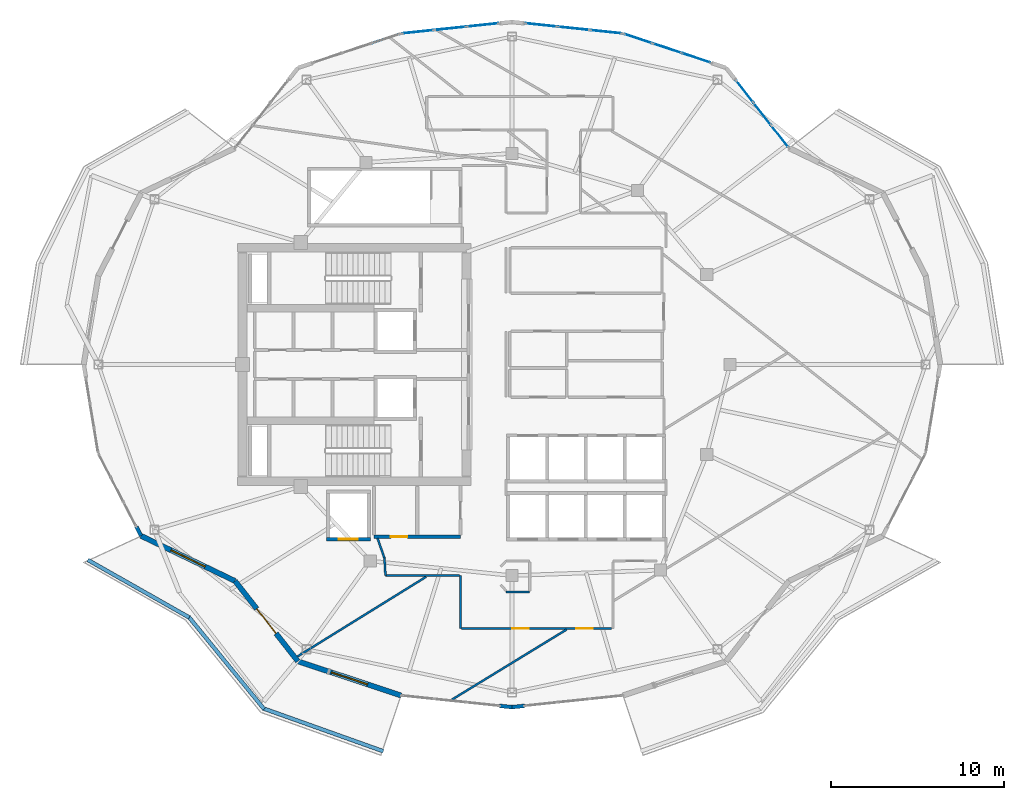
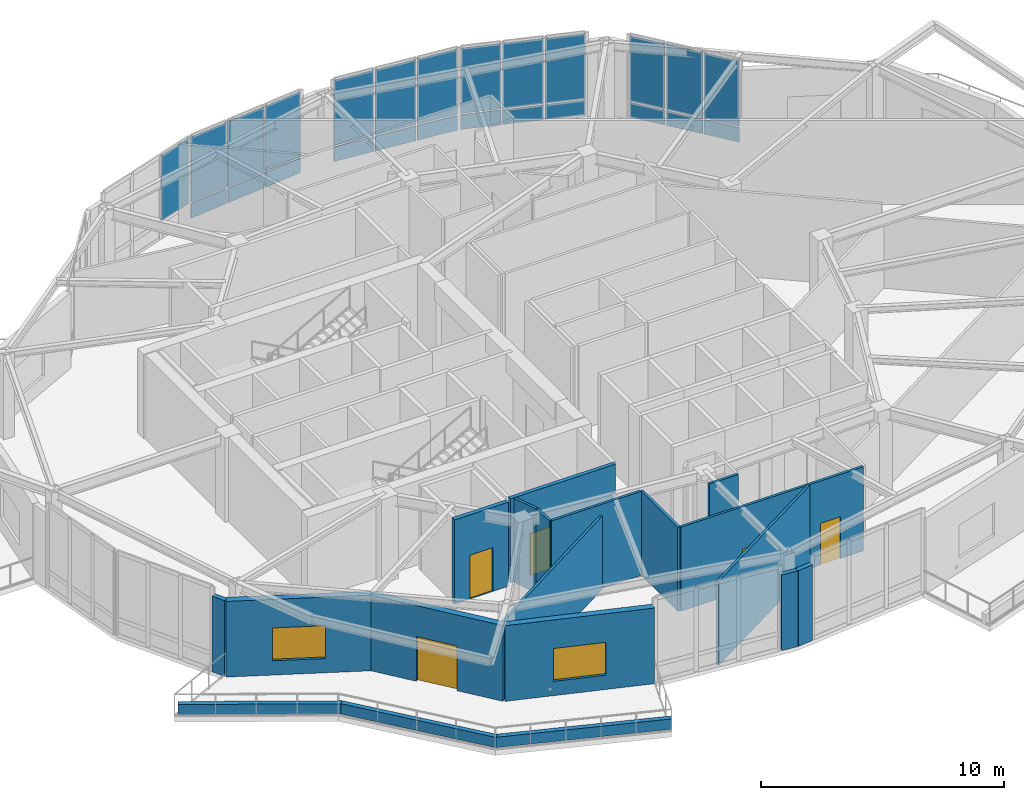
# One storey, part 8 of 15: 25 plates, 19 walls, 5 doors, 2 windows, 7 openings, 5 elements without a shape of their own.
"""IFC4 building model written with IfcOpenShell, lengths in metres."""

import ifcopenshell
import ifcopenshell.guid

model = None  # the IFC model being written
_history = None  # IfcOwnerHistory: only IFC2X3 demands one
_inside = {}  # id of a spatial element -> (the spatial element, [elements in it])
_under = {}  # id of a project, library or spatial element -> (it, [spatial elements below it])
_declared = {}  # id of a project -> (the project, [libraries it declares])
_typed = {}  # id of a type object -> (the type object, [elements of that type])
_made_of = {}  # id of a material, layer set ... -> (it, [elements and type objects made of it])


def new_model(schema):
    """Start an empty IFC model of exactly this schema.

    Asked for "IFC4X3", IfcOpenShell would pick the latest addendum, in which some entities
    have other attributes; the version numbers below select the first issue.
    IFC2X3 requires an IfcOwnerHistory on every rooted entity: one is made here for all.
    """
    global model, _history
    if schema == "IFC4X3":
        model = ifcopenshell.file(schema_version=(4, 3, 0, 0))
    else:
        model = ifcopenshell.file(schema=schema)
    _inside.clear()
    _under.clear()
    _declared.clear()
    _typed.clear()
    _made_of.clear()
    _history = None
    if model.schema == "IFC2X3":
        org = make("IfcOrganization", Name="unknown")
        user = make(
            "IfcPersonAndOrganization",
            ThePerson=make("IfcPerson", FamilyName="unknown"),
            TheOrganization=org,
        )
        app = make(
            "IfcApplication",
            ApplicationDeveloper=org,
            Version="unknown",
            ApplicationFullName="unknown",
            ApplicationIdentifier="unknown",
        )
        _history = make(
            "IfcOwnerHistory",
            OwningUser=user,
            OwningApplication=app,
            ChangeAction="ADDED",
            CreationDate=0,
        )
    return model


def make(cls, **values):
    """One entity of the class cls with the attributes given. An attribute that is None is left unset."""
    return model.create_entity(
        cls, **{name: value for name, value in values.items() if value is not None}
    )


def rooted(cls, **values):
    """An entity with a GlobalId (a new one), such as an element, a storey or a relation."""
    return make(cls, GlobalId=ifcopenshell.guid.new(), OwnerHistory=_history, **values)


def si_unit(unit_type, name, prefix=None):
    """IfcSIUnit, for example si_unit("LENGTHUNIT", "METRE", prefix="MILLI")."""
    return make("IfcSIUnit", UnitType=unit_type, Prefix=prefix, Name=name)


def assignment(units):
    """IfcUnitAssignment: the units of a project."""
    return None if units is None else make("IfcUnitAssignment", Units=units)


def point(xyz):
    """IfcCartesianPoint."""
    return None if xyz is None else make("IfcCartesianPoint", Coordinates=xyz)


def direction(xyz):
    """IfcDirection."""
    return None if xyz is None else make("IfcDirection", DirectionRatios=xyz)


def frame(location, z_axis=None, x_axis=None):
    """IfcAxis2Placement3D, a coordinate frame: its origin and axes. An axis left out is left unset."""
    return make(
        "IfcAxis2Placement3D",
        Location=point(location),
        Axis=direction(z_axis),
        RefDirection=direction(x_axis),
    )


def frame_2d(location, x_axis=None):
    """IfcAxis2Placement2D, a coordinate frame in the plane: its origin and x axis."""
    return make(
        "IfcAxis2Placement2D", Location=point(location), RefDirection=direction(x_axis)
    )


def origin():
    """The frame at (0, 0, 0) with its axes left unset."""
    return frame((0.0, 0.0, 0.0))


def origin_2d():
    """The frame at (0, 0) in the plane with its x axis left unset."""
    return frame_2d((0.0, 0.0))


def place(relative_to, where):
    """IfcLocalPlacement: puts the frame where relative to a parent placement (None: the world)."""
    return make(
        "IfcLocalPlacement", PlacementRelTo=relative_to, RelativePlacement=where
    )


def context(
    kind, dimensions, precision=None, world=None, true_north=None, identifier=None
):
    """IfcGeometricRepresentationContext, for example the 3D "Model" context."""
    return make(
        "IfcGeometricRepresentationContext",
        ContextIdentifier=identifier,
        ContextType=kind,
        CoordinateSpaceDimension=dimensions,
        Precision=precision,
        WorldCoordinateSystem=world,
        TrueNorth=true_north,
    )


def subcontext(parent, identifier, kind, view, scale=None):
    """IfcGeometricRepresentationSubContext, for example "Body" below "Model"."""
    return make(
        "IfcGeometricRepresentationSubContext",
        ContextIdentifier=identifier,
        ContextType=kind,
        ParentContext=parent,
        TargetScale=scale,
        TargetView=view,
    )


def project(units=None, contexts=None):
    """IfcProject with its units and contexts."""
    return rooted(
        "IfcProject",
        Name="project",
        RepresentationContexts=contexts,
        UnitsInContext=assignment(units),
    )


def spatial(cls, under=None, at=None, **own):
    """A site, building, storey or space (cls), placed at a placement, below another one or the project."""
    s = rooted(cls, ObjectPlacement=at, **own)
    if under is not None:
        _under.setdefault(under.id(), (under, []))[1].append(s)
    return s


def profile(cls, at=None, kind="AREA", **sizes):
    """A parametric profile (cls). Its sizes go by their IFC names, for example OverallWidth=200.0."""
    return make(cls, ProfileType=kind, Position=at, **sizes)


def rectangle(**sizes):
    """IfcRectangleProfileDef."""
    return profile("IfcRectangleProfileDef", **sizes)


def extrude(swept, where, along, depth):
    """IfcExtrudedAreaSolid: the profile swept, set in the frame where, extruded along a direction by depth."""
    return make(
        "IfcExtrudedAreaSolid",
        SweptArea=swept,
        Position=where,
        ExtrudedDirection=direction(along),
        Depth=depth,
    )


def shape(context_of_items, identifier, shape_type, items):
    """IfcShapeRepresentation: the items that make up one representation, for example the "Body"."""
    return make(
        "IfcShapeRepresentation",
        ContextOfItems=context_of_items,
        RepresentationIdentifier=identifier,
        RepresentationType=shape_type,
        Items=items,
    )


def material(Name=None, Category=None):
    """IfcMaterial."""
    return make("IfcMaterial", Name=Name, Category=Category)


def layer(
    of_material, thickness, ventilated=None, Name=None, Category=None, Priority=None
):
    """IfcMaterialLayer: one layer of a wall or slab, of a material (None: an air gap)."""
    return make(
        "IfcMaterialLayer",
        Material=of_material,
        LayerThickness=thickness,
        IsVentilated=ventilated,
        Name=Name,
        Category=Category,
        Priority=Priority,
    )


def layer_set(layers, Name=None):
    """IfcMaterialLayerSet."""
    return make("IfcMaterialLayerSet", MaterialLayers=layers, LayerSetName=Name)


def made_of(thing, what):
    """Note that an element or type object is made of a material, layer set ...; save() writes the relation."""
    if what is not None:
        _made_of.setdefault(what.id(), (what, []))[1].append(thing)
    return thing


def type_object(cls, material=None, **own):
    """A type object (cls), such as IfcWallType, which elements share."""
    return made_of(rooted(cls, **own), material)


def element(
    cls,
    number,
    at=None,
    inside=None,
    cuts=None,
    type_object=None,
    material=None,
    context=None,
    identifier="Body",
    shape_type=None,
    held_by="IfcProductDefinitionShape",
    body=None,
    shapes=None,
    **own,
):
    """One element of the class cls, such as IfcWall. Its Tag is "e" and its number.

    at: its placement. inside: the storey or other place that contains it. cuts: it is an
    opening in that element (IfcRelVoidsElement). A single representation is given by context,
    identifier, shape_type and body (its items); several are given by shapes. held_by: the class
    of the entity that holds the representations. save() writes the other relations.
    """
    e = rooted(cls, Tag="e%d" % number, ObjectPlacement=at, **own)
    if body is not None:
        shapes = [shape(context, identifier, shape_type, body)]
    if shapes is not None:
        e.Representation = make(held_by, Representations=shapes)
    if inside is not None:
        _inside.setdefault(inside.id(), (inside, []))[1].append(e)
    if cuts is not None:
        rooted(
            "IfcRelVoidsElement", RelatingBuildingElement=cuts, RelatedOpeningElement=e
        )
    if type_object is not None:
        _typed.setdefault(type_object.id(), (type_object, []))[1].append(e)
    return made_of(e, material)


def fill(opening, filler):
    """IfcRelFillsElement: the door or window that sits in an opening."""
    return rooted(
        "IfcRelFillsElement",
        RelatingOpeningElement=opening,
        RelatedBuildingElement=filler,
    )


def aggregate(whole, parts):
    """IfcRelAggregates: a whole, such as a stair, and the parts it consists of."""
    return rooted("IfcRelAggregates", RelatingObject=whole, RelatedObjects=parts)


def save(model, path):
    """Write the relations noted so far, then the file.

    IfcRelAggregates (storeys below a building ...), IfcRelContainedInSpatialStructure (elements
    in a storey), IfcRelDefinesByType, IfcRelAssociatesMaterial and IfcRelDeclares: one each for
    every whole, place, type object, material and project.
    """
    for whole, parts in _under.values():
        aggregate(whole, parts)
    for where, things in _inside.values():
        rooted(
            "IfcRelContainedInSpatialStructure",
            RelatedElements=things,
            RelatingStructure=where,
        )
    for kind, things in _typed.values():
        rooted("IfcRelDefinesByType", RelatedObjects=things, RelatingType=kind)
    for what, things in _made_of.values():
        rooted("IfcRelAssociatesMaterial", RelatedObjects=things, RelatingMaterial=what)
    for by, libraries in _declared.values():
        rooted("IfcRelDeclares", RelatingContext=by, RelatedDefinitions=libraries)
    model.write(path)


model = new_model("IFC4")

# Units and contexts
model_context = context("Model", 3, precision=1e-05, world=origin(), true_north=direction((0.0, 1.0)))
body_context = subcontext(model_context, "Body", "Model", "MODEL_VIEW")
ifc_project = project(units=[si_unit("LENGTHUNIT", "METRE"), si_unit("AREAUNIT", "SQUARE_METRE"), si_unit("VOLUMEUNIT", "CUBIC_METRE"), si_unit("PLANEANGLEUNIT", "RADIAN"), si_unit("MASSUNIT", "GRAM", prefix="KILO")], contexts=[model_context])

# Site, building, storey
site_placement = place(None, origin())
site = spatial("IfcSite", under=ifc_project, at=site_placement, CompositionType="ELEMENT")
building_placement = place(site_placement, origin())
building = spatial("IfcBuilding", under=site, at=building_placement, Name="Kolvaren Gate Tower and Convention Centre", CompositionType="ELEMENT")
storey_placement = place(building_placement, frame((0.0, 0.0, 191.89990234375)))
storey = spatial("IfcBuildingStorey", under=building, at=storey_placement, Name="L50", CompositionType="ELEMENT", Elevation=191.89990234375)

# Curtain wall, plates
ifc_material_1 = material(Name="Anodized Architectural Aluminium Alloy 6063-T6", Category="aluminium")
ifc_layer_1 = layer(ifc_material_1, 0.199951171875)
ifc_layer_set_1 = layer_set([ifc_layer_1], Name="Anodized Architectural Aluminium Alloy 6063-T6")
curtain_wall_type = type_object("IfcCurtainWallType", Name="CW-SKY-GLZ", PredefinedType="NOTDEFINED", material=ifc_layer_set_1)
curtain_wall_1_placement = place(storey_placement, origin())
curtain_wall_1 = element("IfcCurtainWall", 1, at=curtain_wall_1_placement, inside=storey, type_object=curtain_wall_type, Name="L50 Panoramic Structural Curtain Wall CW-03", PredefinedType="NOTDEFINED")
ifc_material_2 = material(Name="Low-E Triple Insulated Glazing Unit 44 mm", Category="glass")
ifc_layer_2 = layer(ifc_material_2, 0.0439453125)
ifc_layer_set_2 = layer_set([ifc_layer_2], Name="Low-E Triple Insulated Glazing Unit 44 mm")
plate_type_1 = type_object("IfcPlateType", Name="CW-PL-IGU-44", PredefinedType="CURTAIN_PANEL", material=ifc_layer_set_2)
plate_1_placement = place(storey_placement, frame((43.56689453125, 42.784423828125, 0.887451171875), z_axis=(0.0, 0.0, 1.0), x_axis=(0.616436709784, -0.787404459493, 0.0)))
plate_1 = element("IfcPlate", 2, at=plate_1_placement, type_object=plate_type_1, Name="CW-05 panel 1.2", PredefinedType="CURTAIN_PANEL", context=body_context, shape_type="SweptSolid", body=[
    extrude(rectangle(XDim=1.559814453125, YDim=0.0439453125, at=origin_2d()), origin(), (0.0, 0.0, 1.0), 3.267578125),
])
plate_2_placement = place(storey_placement, frame((44.586181640625, 41.482421875, 0.887451171875), z_axis=(0.0, 0.0, 1.0), x_axis=(0.616436709784, -0.787404459493, 0.0)))
plate_2 = element("IfcPlate", 3, at=plate_2_placement, type_object=plate_type_1, Name="CW-05 panel 2.2", PredefinedType="CURTAIN_PANEL", context=body_context, shape_type="SweptSolid", body=[
    extrude(rectangle(XDim=1.59716796875, YDim=0.0439453125, at=origin_2d()), origin(), (0.0, 0.0, 1.0), 3.267578125),
])
plate_3_placement = place(storey_placement, frame((45.60546875, 40.180419921875, 0.887451171875), z_axis=(0.0, 0.0, 1.0), x_axis=(0.616436709784, -0.787404459493, 0.0)))
plate_3 = element("IfcPlate", 4, at=plate_3_placement, type_object=plate_type_1, Name="CW-05 panel 3.2", PredefinedType="CURTAIN_PANEL", context=body_context, shape_type="SweptSolid", body=[
    extrude(rectangle(XDim=1.559814453125, YDim=0.0439453125, at=origin_2d()), origin(), (0.0, 0.0, 1.0), 3.267578125),
])

curtain_wall_2_placement = place(storey_placement, origin())
curtain_wall_2 = element("IfcCurtainWall", 5, at=curtain_wall_2_placement, inside=storey, type_object=curtain_wall_type, Name="L50 Panoramic Structural Curtain Wall CW-04", PredefinedType="NOTDEFINED")
plate_4_placement = place(storey_placement, frame((37.40185546875, 45.836669921875, 0.887451171875), z_axis=(0.0, 0.0, 1.0), x_axis=(0.949239946029, -0.314552896763, 0.0)))
plate_4 = element("IfcPlate", 6, at=plate_4_placement, type_object=plate_type_1, Name="CW-05 panel 1.2", PredefinedType="CURTAIN_PANEL", context=body_context, shape_type="SweptSolid", body=[
    extrude(rectangle(XDim=1.685302734375, YDim=0.0439453125, at=origin_2d()), origin(), (0.0, 0.0, 1.0), 3.267578125),
])
plate_5_placement = place(storey_placement, frame((39.09033203125, 45.277099609375, 0.887451171875), z_axis=(0.0, 0.0, 1.0), x_axis=(0.949239946029, -0.314552896763, 0.0)))
plate_5 = element("IfcPlate", 7, at=plate_5_placement, type_object=plate_type_1, Name="CW-05 panel 2.2", PredefinedType="CURTAIN_PANEL", context=body_context, shape_type="SweptSolid", body=[
    extrude(rectangle(XDim=1.72265625, YDim=0.0439453125, at=origin_2d()), origin(), (0.0, 0.0, 1.0), 3.267578125),
])
plate_6_placement = place(storey_placement, frame((40.779052734375, 44.717529296875, 0.887451171875), z_axis=(0.0, 0.0, 1.0), x_axis=(0.949239946029, -0.314552896763, 0.0)))
plate_6 = element("IfcPlate", 8, at=plate_6_placement, type_object=plate_type_1, Name="CW-05 panel 3.2", PredefinedType="CURTAIN_PANEL", context=body_context, shape_type="SweptSolid", body=[
    extrude(rectangle(XDim=1.685302734375, YDim=0.0439453125, at=origin_2d()), origin(), (0.0, 0.0, 1.0), 3.267578125),
])

curtain_wall_3_placement = place(storey_placement, origin())
curtain_wall_3 = element("IfcCurtainWall", 9, at=curtain_wall_3_placement, inside=storey, type_object=curtain_wall_type, Name="L50 Panoramic Structural Curtain Wall CW-05", PredefinedType="NOTDEFINED")
plate_7_placement = place(storey_placement, frame((31.8154296875, 46.621826171875, 0.887451171875), z_axis=(0.0, 0.0, 1.0), x_axis=(0.994499599937, -0.104740372947, 0.0)))
plate_7 = element("IfcPlate", 10, at=plate_7_placement, type_object=plate_type_1, Name="CW-05 panel 1.2", PredefinedType="CURTAIN_PANEL", context=body_context, shape_type="SweptSolid", body=[
    extrude(rectangle(XDim=1.79150390625, YDim=0.0439453125, at=origin_2d()), origin(), (0.0, 0.0, 1.0), 3.267578125),
])
plate_8_placement = place(storey_placement, frame((33.6904296875, 46.424560546875, 0.887451171875), z_axis=(0.0, 0.0, 1.0), x_axis=(0.994499599937, -0.104740372947, 0.0)))
plate_8 = element("IfcPlate", 11, at=plate_8_placement, type_object=plate_type_1, Name="CW-05 panel 2.2", PredefinedType="CURTAIN_PANEL", context=body_context, shape_type="SweptSolid", body=[
    extrude(rectangle(XDim=1.8291015625, YDim=0.0439453125, at=origin_2d()), origin(), (0.0, 0.0, 1.0), 3.267578125),
])
plate_9_placement = place(storey_placement, frame((35.5654296875, 46.22705078125, 0.887451171875), z_axis=(0.0, 0.0, 1.0), x_axis=(0.994499599937, -0.104740372947, 0.0)))
plate_9 = element("IfcPlate", 12, at=plate_9_placement, type_object=plate_type_1, Name="CW-05 panel 3.2", PredefinedType="CURTAIN_PANEL", context=body_context, shape_type="SweptSolid", body=[
    extrude(rectangle(XDim=1.79150390625, YDim=0.0439453125, at=origin_2d()), origin(), (0.0, 0.0, 1.0), 3.267578125),
])

curtain_wall_4_placement = place(storey_placement, origin())
curtain_wall_4 = element("IfcCurtainWall", 13, at=curtain_wall_4_placement, inside=storey, type_object=curtain_wall_type, Name="L50 Panoramic Structural Curtain Wall CW-06", PredefinedType="NOTDEFINED")
plate_10_placement = place(storey_placement, frame((24.6845703125, 46.22705078125, 0.887451171875), z_axis=(0.0, 0.0, 1.0), x_axis=(0.994499215808, 0.104744020147, 0.0)))
plate_10 = element("IfcPlate", 14, at=plate_10_placement, type_object=plate_type_1, Name="CW-05 panel 1.2", PredefinedType="CURTAIN_PANEL", context=body_context, shape_type="SweptSolid", body=[
    extrude(rectangle(XDim=1.79150390625, YDim=0.0439453125, at=origin_2d()), origin(), (0.0, 0.0, 1.0), 3.267578125),
])
plate_11_placement = place(storey_placement, frame((26.5595703125, 46.424560546875, 0.887451171875), z_axis=(0.0, 0.0, 1.0), x_axis=(0.994499215808, 0.104744020147, 0.0)))
plate_11 = element("IfcPlate", 15, at=plate_11_placement, type_object=plate_type_1, Name="CW-05 panel 2.2", PredefinedType="CURTAIN_PANEL", context=body_context, shape_type="SweptSolid", body=[
    extrude(rectangle(XDim=1.8291015625, YDim=0.0439453125, at=origin_2d()), origin(), (0.0, 0.0, 1.0), 3.267578125),
])
plate_12_placement = place(storey_placement, frame((28.434326171875, 46.621826171875, 0.887451171875), z_axis=(0.0, 0.0, 1.0), x_axis=(0.994499215808, 0.104744020147, 0.0)))
plate_12 = element("IfcPlate", 16, at=plate_12_placement, type_object=plate_type_1, Name="CW-05 panel 3.2", PredefinedType="CURTAIN_PANEL", context=body_context, shape_type="SweptSolid", body=[
    extrude(rectangle(XDim=1.79150390625, YDim=0.0439453125, at=origin_2d()), origin(), (0.0, 0.0, 1.0), 3.267578125),
])

# Curtain wall, plate
curtain_wall_5_placement = place(storey_placement, origin())
curtain_wall_5 = element("IfcCurtainWall", 17, at=curtain_wall_5_placement, inside=storey, type_object=curtain_wall_type, Name="L50 Panoramic Structural Curtain Wall CW-07", PredefinedType="NOTDEFINED")
plate_13_placement = place(storey_placement, frame((22.84814453125, 45.836669921875, 0.887451171875), z_axis=(0.0, 0.0, 1.0), x_axis=(0.949239913474, 0.314552995008, 0.0)))
plate_13 = element("IfcPlate", 18, at=plate_13_placement, type_object=plate_type_1, Name="CW-05 panel 3.2", PredefinedType="CURTAIN_PANEL", context=body_context, shape_type="SweptSolid", body=[
    extrude(rectangle(XDim=1.685302734375, YDim=0.0439453125, at=origin_2d()), origin(), (0.0, 0.0, 1.0), 3.267578125),
])
aggregate(curtain_wall_5, [plate_13])

# Plate
ifc_material_3 = material(Name="Solar-Control Laminated Curtain Glazing 36 mm", Category="glass")
ifc_layer_3 = layer(ifc_material_3, 0.035888671875)
ifc_layer_set_3 = layer_set([ifc_layer_3], Name="Solar-Control Laminated Curtain Glazing 36 mm")
plate_type_2 = type_object("IfcPlateType", Name="CW-PL-SPAN-36", PredefinedType="CURTAIN_PANEL", material=ifc_layer_set_3)
plate_14_placement = place(storey_placement, frame((43.56689453125, 42.784423828125, 0.0751953125), z_axis=(0.0, 0.0, 1.0), x_axis=(0.616436709784, -0.787404459493, 0.0)))
plate_14 = element("IfcPlate", 19, at=plate_14_placement, type_object=plate_type_2, Name="CW-05 panel 1.1", PredefinedType="CURTAIN_PANEL", context=body_context, shape_type="SweptSolid", body=[
    extrude(rectangle(XDim=1.559814453125, YDim=0.035888671875, at=origin_2d()), origin(), (0.0, 0.0, 1.0), 0.737548828125),
])

plate_15_placement = place(storey_placement, frame((44.586181640625, 41.482421875, 0.0751953125), z_axis=(0.0, 0.0, 1.0), x_axis=(0.616436709784, -0.787404459493, 0.0)))
plate_15 = element("IfcPlate", 20, at=plate_15_placement, type_object=plate_type_2, Name="CW-05 panel 2.1", PredefinedType="CURTAIN_PANEL", context=body_context, shape_type="SweptSolid", body=[
    extrude(rectangle(XDim=1.59716796875, YDim=0.035888671875, at=origin_2d()), origin(), (0.0, 0.0, 1.0), 0.737548828125),
])

plate_16_placement = place(storey_placement, frame((45.60546875, 40.180419921875, 0.0751953125), z_axis=(0.0, 0.0, 1.0), x_axis=(0.616436709784, -0.787404459493, 0.0)))
plate_16 = element("IfcPlate", 21, at=plate_16_placement, type_object=plate_type_2, Name="CW-05 panel 3.1", PredefinedType="CURTAIN_PANEL", context=body_context, shape_type="SweptSolid", body=[
    extrude(rectangle(XDim=1.559814453125, YDim=0.035888671875, at=origin_2d()), origin(), (0.0, 0.0, 1.0), 0.737548828125),
])

aggregate(curtain_wall_1, [plate_14, plate_1, plate_15, plate_2, plate_16, plate_3])

plate_17_placement = place(storey_placement, frame((37.40185546875, 45.836669921875, 0.0751953125), z_axis=(0.0, 0.0, 1.0), x_axis=(0.949239946029, -0.314552896763, 0.0)))
plate_17 = element("IfcPlate", 22, at=plate_17_placement, type_object=plate_type_2, Name="CW-05 panel 1.1", PredefinedType="CURTAIN_PANEL", context=body_context, shape_type="SweptSolid", body=[
    extrude(rectangle(XDim=1.685302734375, YDim=0.035888671875, at=origin_2d()), origin(), (0.0, 0.0, 1.0), 0.737548828125),
])

plate_18_placement = place(storey_placement, frame((39.09033203125, 45.277099609375, 0.0751953125), z_axis=(0.0, 0.0, 1.0), x_axis=(0.949239946029, -0.314552896763, 0.0)))
plate_18 = element("IfcPlate", 23, at=plate_18_placement, type_object=plate_type_2, Name="CW-05 panel 2.1", PredefinedType="CURTAIN_PANEL", context=body_context, shape_type="SweptSolid", body=[
    extrude(rectangle(XDim=1.72265625, YDim=0.035888671875, at=origin_2d()), origin(), (0.0, 0.0, 1.0), 0.737548828125),
])

plate_19_placement = place(storey_placement, frame((40.779052734375, 44.717529296875, 0.0751953125), z_axis=(0.0, 0.0, 1.0), x_axis=(0.949239946029, -0.314552896763, 0.0)))
plate_19 = element("IfcPlate", 24, at=plate_19_placement, type_object=plate_type_2, Name="CW-05 panel 3.1", PredefinedType="CURTAIN_PANEL", context=body_context, shape_type="SweptSolid", body=[
    extrude(rectangle(XDim=1.685302734375, YDim=0.035888671875, at=origin_2d()), origin(), (0.0, 0.0, 1.0), 0.737548828125),
])

aggregate(curtain_wall_2, [plate_17, plate_4, plate_18, plate_5, plate_19, plate_6])

plate_20_placement = place(storey_placement, frame((31.8154296875, 46.621826171875, 0.0751953125), z_axis=(0.0, 0.0, 1.0), x_axis=(0.994499599937, -0.104740372947, 0.0)))
plate_20 = element("IfcPlate", 25, at=plate_20_placement, type_object=plate_type_2, Name="CW-05 panel 1.1", PredefinedType="CURTAIN_PANEL", context=body_context, shape_type="SweptSolid", body=[
    extrude(rectangle(XDim=1.79150390625, YDim=0.035888671875, at=origin_2d()), origin(), (0.0, 0.0, 1.0), 0.737548828125),
])

plate_21_placement = place(storey_placement, frame((33.6904296875, 46.424560546875, 0.0751953125), z_axis=(0.0, 0.0, 1.0), x_axis=(0.994499599937, -0.104740372947, 0.0)))
plate_21 = element("IfcPlate", 26, at=plate_21_placement, type_object=plate_type_2, Name="CW-05 panel 2.1", PredefinedType="CURTAIN_PANEL", context=body_context, shape_type="SweptSolid", body=[
    extrude(rectangle(XDim=1.8291015625, YDim=0.035888671875, at=origin_2d()), origin(), (0.0, 0.0, 1.0), 0.737548828125),
])

plate_22_placement = place(storey_placement, frame((35.5654296875, 46.22705078125, 0.0751953125), z_axis=(0.0, 0.0, 1.0), x_axis=(0.994499599937, -0.104740372947, 0.0)))
plate_22 = element("IfcPlate", 27, at=plate_22_placement, type_object=plate_type_2, Name="CW-05 panel 3.1", PredefinedType="CURTAIN_PANEL", context=body_context, shape_type="SweptSolid", body=[
    extrude(rectangle(XDim=1.79150390625, YDim=0.035888671875, at=origin_2d()), origin(), (0.0, 0.0, 1.0), 0.737548828125),
])

aggregate(curtain_wall_3, [plate_20, plate_7, plate_21, plate_8, plate_22, plate_9])

plate_23_placement = place(storey_placement, frame((24.6845703125, 46.22705078125, 0.0751953125), z_axis=(0.0, 0.0, 1.0), x_axis=(0.994499215808, 0.104744020147, 0.0)))
plate_23 = element("IfcPlate", 28, at=plate_23_placement, type_object=plate_type_2, Name="CW-05 panel 1.1", PredefinedType="CURTAIN_PANEL", context=body_context, shape_type="SweptSolid", body=[
    extrude(rectangle(XDim=1.79150390625, YDim=0.035888671875, at=origin_2d()), origin(), (0.0, 0.0, 1.0), 0.737548828125),
])

plate_24_placement = place(storey_placement, frame((26.5595703125, 46.424560546875, 0.0751953125), z_axis=(0.0, 0.0, 1.0), x_axis=(0.994499215808, 0.104744020147, 0.0)))
plate_24 = element("IfcPlate", 29, at=plate_24_placement, type_object=plate_type_2, Name="CW-05 panel 2.1", PredefinedType="CURTAIN_PANEL", context=body_context, shape_type="SweptSolid", body=[
    extrude(rectangle(XDim=1.8291015625, YDim=0.035888671875, at=origin_2d()), origin(), (0.0, 0.0, 1.0), 0.737548828125),
])

plate_25_placement = place(storey_placement, frame((28.434326171875, 46.621826171875, 0.0751953125), z_axis=(0.0, 0.0, 1.0), x_axis=(0.994499215808, 0.104744020147, 0.0)))
plate_25 = element("IfcPlate", 30, at=plate_25_placement, type_object=plate_type_2, Name="CW-05 panel 3.1", PredefinedType="CURTAIN_PANEL", context=body_context, shape_type="SweptSolid", body=[
    extrude(rectangle(XDim=1.79150390625, YDim=0.035888671875, at=origin_2d()), origin(), (0.0, 0.0, 1.0), 0.737548828125),
])

aggregate(curtain_wall_4, [plate_23, plate_10, plate_24, plate_11, plate_25, plate_12])

# Wall, opening, door
ifc_material_4 = material(Name="Autoclaved Aerated Masonry Blockwork Class 4 (4.0 MPa)", Category="masonry")
ifc_layer_4 = layer(ifc_material_4, 0.179931640625)
ifc_layer_set_4 = layer_set([ifc_layer_4], Name="Autoclaved Aerated Masonry Blockwork Class 4 (4.0 MPa)")
wall_type_1 = type_object("IfcWallType", Name="ARCH-WL-COMP-180", PredefinedType="SOLIDWALL", material=ifc_layer_set_4)
wall_1_placement = place(storey_placement, frame((22.14990234375, 17.050048828125, 0.0), z_axis=(0.0, 0.0, 1.0), x_axis=(1.0, 0.0, 0.0)))
wall_1 = element("IfcWall", 31, at=wall_1_placement, inside=storey, type_object=wall_type_1, Name="Interior Partition WL-L50-INT-011", PredefinedType="SOLIDWALL", context=body_context, shape_type="SweptSolid", body=[
    extrude(rectangle(XDim=5.0, YDim=0.179931640625, at=frame_2d((2.5, 0.0))), origin(), (0.0, 0.0, 1.0), 4.22998046875),
])
opening_1_placement = place(wall_1_placement, frame((0.97998046875, 0.0, 0.0)))
opening_1 = element("IfcOpeningElement", 32, at=opening_1_placement, cuts=wall_1, Name="Opening DR-01", PredefinedType="OPENING", context=body_context, shape_type="SweptSolid", body=[
    extrude(rectangle(XDim=0.949951171875, YDim=2.10009765625, at=frame_2d((0.47509765625, 1.050048828125))), frame((0.0, 0.099853515625, 0.0), z_axis=(0.0, -1.0, 0.0), x_axis=(1.0, 0.0, 0.0)), (0.0, 0.0, 1.0), 0.199951171875),
])
ifc_material_5 = material(Name="Painted Architectural Steelwork ASTM A500 Grade C 345 MPa", Category="steel")
door_type_1 = type_object("IfcDoorType", Name="ARCH-DR-RISER-950", OperationType="SINGLE_SWING_RIGHT", PredefinedType="DOOR", material=ifc_material_5)
door_1_placement = place(opening_1_placement, origin())
door_1 = element("IfcDoor", 33, at=door_1_placement, inside=storey, type_object=door_type_1, Name="West Valet Store Door", OperationType="SINGLE_SWING_RIGHT", OverallHeight=2.10009765625, OverallWidth=0.949951171875, PredefinedType="DOOR", context=body_context, shape_type="SweptSolid", body=[
    extrude(rectangle(XDim=0.949951171875, YDim=2.10009765625, at=frame_2d((0.47509765625, 1.050048828125))), frame((0.0, 0.02490234375, 0.0), z_axis=(0.0, -1.0, 0.0), x_axis=(1.0, 0.0, 0.0)), (0.0, 0.0, 1.0), 0.050048828125),
])
fill(opening_1, door_1)

# Wall
ifc_material_6 = material(Name="Fire-Rated Acoustic Gypsum Stud Partition", Category="gypsum")
ifc_layer_5 = layer(ifc_material_6, 0.1201171875)
ifc_layer_set_5 = layer_set([ifc_layer_5], Name="Fire-Rated Acoustic Gypsum Stud Partition")
wall_type_2 = type_object("IfcWallType", Name="ARCH-WL-PART-120", PredefinedType="PARTITIONING", material=ifc_layer_set_5)
wall_2_placement = place(storey_placement, frame((27.14990234375, 11.75, 0.0), z_axis=(0.0, 0.0, 1.0), x_axis=(0.0, 1.0, 0.0)))
element("IfcWall", 34, at=wall_2_placement, inside=storey, type_object=wall_type_2, Name="Interior Partition WL-L50-INT-014", PredefinedType="PARTITIONING", context=body_context, shape_type="SweptSolid", body=[
    extrude(rectangle(XDim=3.050048828125, YDim=0.1201171875, at=frame_2d((1.52490234375, 0.0))), origin(), (0.0, 0.0, 1.0), 4.22998046875),
])

# Wall, openings, doors
wall_3_placement = place(storey_placement, frame((27.2119140625, 11.75, 0.0), z_axis=(0.0, 0.0, 1.0), x_axis=(1.0, 0.0, 0.0)))
wall_3 = element("IfcWall", 35, at=wall_3_placement, inside=storey, type_object=wall_type_2, Name="Interior Partition WL-L50-INT-033", PredefinedType="PARTITIONING", context=body_context, shape_type="SweptSolid", body=[
    extrude(rectangle(XDim=8.676025390625, YDim=0.1201171875, at=frame_2d((4.337890625, 0.0))), origin(), (0.0, 0.0, 1.0), 4.22998046875),
])
opening_2_placement = place(wall_3_placement, frame((2.925537109375, 0.0, 0.0)))
opening_2 = element("IfcOpeningElement", 36, at=opening_2_placement, cuts=wall_3, Name="Opening DR-01", PredefinedType="OPENING", context=body_context, shape_type="SweptSolid", body=[
    extrude(rectangle(XDim=0.949951171875, YDim=2.10009765625, at=frame_2d((0.47509765625, 1.050048828125))), frame((0.0, 0.070068359375, 0.0), z_axis=(0.0, -1.0, 0.0), x_axis=(1.0, 0.0, 0.0)), (0.0, 0.0, 1.0), 0.14013671875),
])
opening_3_placement = place(wall_3_placement, frame((6.63330078125, 0.0, 0.0)))
opening_3 = element("IfcOpeningElement", 37, at=opening_3_placement, cuts=wall_3, Name="Opening DR-01", PredefinedType="OPENING", context=body_context, shape_type="SweptSolid", body=[
    extrude(rectangle(XDim=0.949951171875, YDim=2.10009765625, at=frame_2d((0.47509765625, 1.050048828125))), frame((0.0, 0.070068359375, 0.0), z_axis=(0.0, -1.0, 0.0), x_axis=(1.0, 0.0, 0.0)), (0.0, 0.0, 1.0), 0.14013671875),
])
door_2_placement = place(opening_2_placement, origin())
door_2 = element("IfcDoor", 38, at=door_2_placement, inside=storey, type_object=door_type_1, Name="Artisan Jewellery Showroom Door", OperationType="SINGLE_SWING_RIGHT", OverallHeight=2.10009765625, OverallWidth=0.949951171875, PredefinedType="DOOR", context=body_context, shape_type="SweptSolid", body=[
    extrude(rectangle(XDim=0.949951171875, YDim=2.10009765625, at=frame_2d((0.47509765625, 1.050048828125))), frame((0.0, 0.02490234375, 0.0), z_axis=(0.0, -1.0, 0.0), x_axis=(1.0, 0.0, 0.0)), (0.0, 0.0, 1.0), 0.050048828125),
])
fill(opening_2, door_2)
door_3_placement = place(opening_3_placement, origin())
door_3 = element("IfcDoor", 39, at=door_3_placement, inside=storey, type_object=door_type_1, Name="Sky Executive Boardroom Door", OperationType="SINGLE_SWING_LEFT", OverallHeight=2.10009765625, OverallWidth=0.949951171875, PredefinedType="DOOR", context=body_context, shape_type="SweptSolid", body=[
    extrude(rectangle(XDim=0.949951171875, YDim=2.10009765625, at=frame_2d((0.47509765625, 1.050048828125))), frame((0.0, 0.02490234375, 0.0), z_axis=(0.0, -1.0, 0.0), x_axis=(1.0, 0.0, 0.0)), (0.0, 0.0, 1.0), 0.050048828125),
])
fill(opening_3, door_3)

# Walls
wall_4_placement = place(storey_placement, frame((22.81396484375, 14.800048828125, 0.0), z_axis=(0.0, 0.0, 1.0), x_axis=(1.0, 0.0, 0.0)))
element("IfcWall", 40, at=wall_4_placement, inside=storey, type_object=wall_type_2, Name="Interior Partition WL-L50-INT-034", PredefinedType="PARTITIONING", context=body_context, shape_type="SweptSolid", body=[
    extrude(rectangle(XDim=4.27392578125, YDim=0.1201171875, at=frame_2d((2.136962890625, 0.0))), origin(), (0.0, 0.0, 1.0), 4.22998046875),
])
wall_5_placement = place(storey_placement, frame((22.756103515625, 15.81103515625, 0.0), z_axis=(0.0, 0.0, 1.0), x_axis=(0.057139047697, -0.998366230012, 0.0)))
element("IfcWall", 41, at=wall_5_placement, inside=storey, type_object=wall_type_2, Name="Interior Partition WL-L50-INT-035", PredefinedType="PARTITIONING", context=body_context, shape_type="SweptSolid", body=[
    extrude(rectangle(XDim=1.0126953125, YDim=0.1201171875, at=frame_2d((0.50634765625, 0.0))), origin(), (0.0, 0.0, 1.0), 4.22998046875),
])
wall_6_placement = place(storey_placement, frame((22.353271484375, 16.9580078125, 0.0), z_axis=(0.0, 0.0, 1.0), x_axis=(0.331370038458, -0.943500873138, 0.0)))
element("IfcWall", 42, at=wall_6_placement, inside=storey, type_object=wall_type_2, Name="Interior Partition WL-L50-INT-036", PredefinedType="PARTITIONING", context=body_context, shape_type="SweptSolid", body=[
    extrude(rectangle(XDim=1.215576171875, YDim=0.1201171875, at=frame_2d((0.60791015625, 0.0))), origin(), (0.0, 0.0, 1.0), 4.22998046875),
])
wall_7_placement = place(storey_placement, frame((29.780029296875, 13.85009765625, 0.0), z_axis=(0.0, 0.0, 1.0), x_axis=(1.0, 0.0, 0.0)))
element("IfcWall", 43, at=wall_7_placement, inside=storey, type_object=wall_type_2, Name="Interior Partition WL-L50-INT-055", PredefinedType="PARTITIONING", context=body_context, shape_type="SweptSolid", body=[
    extrude(rectangle(XDim=1.369873046875, YDim=0.1201171875, at=frame_2d((0.68505859375, 0.0))), origin(), (0.0, 0.0, 1.0), 4.22998046875),
])
wall_8_placement = place(storey_placement, frame((17.7265625, 10.129150390625, 0.0), z_axis=(0.0, 0.0, 1.0), x_axis=(0.850147430438, 0.526544724141, 0.0)))
element("IfcWall", 44, at=wall_8_placement, inside=storey, type_object=wall_type_2, Name="Interior Partition WL-L50-INT-058", PredefinedType="PARTITIONING", context=body_context, shape_type="SweptSolid", body=[
    extrude(rectangle(XDim=8.753173828125, YDim=0.1201171875, at=frame_2d((4.37646484375, 0.0))), origin(), (0.0, 0.0, 1.0), 3.677978515625),
])
wall_9_placement = place(storey_placement, frame((26.58642578125, 7.595703125, 0.0), z_axis=(0.0, 0.0, 1.0), x_axis=(0.853233376363, 0.52152929492, 0.0)))
element("IfcWall", 45, at=wall_9_placement, inside=storey, type_object=wall_type_2, Name="Interior Partition WL-L50-INT-060", PredefinedType="PARTITIONING", context=body_context, shape_type="SweptSolid", body=[
    extrude(rectangle(XDim=7.8466796875, YDim=0.1201171875, at=frame_2d((3.92333984375, 0.0))), origin(), (0.0, 0.0, 1.0), 4.22998046875),
])
ifc_material_7 = material(Name="Bogota Sabana Bush-Hammered Sandstone Cladding", Category="masonry")
ifc_layer_6 = layer(ifc_material_7, 0.219970703125)
ifc_layer_set_6 = layer_set([ifc_layer_6], Name="Bogota Sabana Bush-Hammered Sandstone Cladding")
wall_type_3 = type_object("IfcWallType", Name="ARCH-WL-PIER-220", PredefinedType="SOLIDWALL", material=ifc_layer_set_6)
wall_10_placement = place(storey_placement, frame((8.414306640625, 17.63427734375, 0.0), z_axis=(0.0, 0.0, 1.0), x_axis=(0.459831388304, -0.888006246786, 0.0)))
element("IfcWall", 46, at=wall_10_placement, inside=storey, type_object=wall_type_3, Name="L50 Panoramic Structural Curtain Wall CW-13 Right Column Pier Wrap", PredefinedType="SOLIDWALL", context=body_context, shape_type="SweptSolid", body=[
    extrude(rectangle(XDim=0.6015625, YDim=0.219970703125, at=frame_2d((0.30078125, 0.0))), origin(), (0.0, 0.0, 1.0), 3.80517578125),
])
for number, where, z_axis, x_axis, name in (
    (47, (29.39990234375, 7.2763671875, 0.0), (0.0, 0.0, 1.0), (0.994492602029, -0.104806796106, 0.0), "L50 Panoramic Structural Curtain Wall CW-17 Right Column Pier Wrap"),
    (48, (30.125, 7.199951171875, 0.0), (0.0, 0.0, 1.0), (0.994492602029, 0.104806796106, 0.0), "L50 Panoramic Structural Curtain Wall CW-18 Left Column Pier Wrap"),
):
    element("IfcWall", number, at=place(storey_placement, frame(where, z_axis=z_axis, x_axis=x_axis)), inside=storey, type_object=wall_type_3, Name=name, PredefinedType="SOLIDWALL", context=body_context, shape_type="SweptSolid", body=[
        extrude(rectangle(XDim=0.72900390625, YDim=0.219970703125, at=frame_2d((0.364501953125, 0.0))), origin(), (0.0, 0.0, 1.0), 3.80517578125),
    ])
ifc_material_8 = material(Name="Piedmont Cream Honed Limestone Cladding", Category="masonry")
ifc_layer_7 = layer(ifc_material_8, 0.219970703125)
ifc_layer_set_7 = layer_set([ifc_layer_7], Name="Piedmont Cream Honed Limestone Cladding")
wall_type_4 = type_object("IfcWallType", Name="ARCH-WL-PLANTER-220", PredefinedType="PARAPET", material=ifc_layer_set_7)
wall_11_placement = place(storey_placement, frame((5.6083984375, 15.70947265625, 0.0), z_axis=(0.0, 0.0, 1.0), x_axis=(0.869860619267, -0.493297580623, 0.0)))
element("IfcWall", 49, at=wall_11_placement, inside=storey, type_object=wall_type_4, Name="Vertical-Forest Balcony Stone Planter Kerb PK-L50-3.1", PredefinedType="PARAPET", context=body_context, shape_type="SweptSolid", body=[
    extrude(rectangle(XDim=6.74267578125, YDim=0.219970703125, at=frame_2d((3.371337890625, 0.0))), origin(), (0.0, 0.0, 1.0), 0.52001953125),
])
wall_12_placement = place(storey_placement, frame((11.42724609375, 12.44140625, 0.0), z_axis=(0.0, 0.0, 1.0), x_axis=(0.632697312147, -0.774399193699, 0.0)))
element("IfcWall", 50, at=wall_12_placement, inside=storey, type_object=wall_type_4, Name="Vertical-Forest Balcony Stone Planter Kerb PK-L50-3.2", PredefinedType="PARAPET", context=body_context, shape_type="SweptSolid", body=[
    extrude(rectangle(XDim=6.9140625, YDim=0.219970703125, at=frame_2d((3.45703125, 0.0))), origin(), (0.0, 0.0, 1.0), 0.52001953125),
])
wall_13_placement = place(storey_placement, frame((15.73681640625, 7.133544921875, 0.0), z_axis=(0.0, 0.0, 1.0), x_axis=(0.941780086523, -0.336229488042, 0.0)))
element("IfcWall", 51, at=wall_13_placement, inside=storey, type_object=wall_type_4, Name="Vertical-Forest Balcony Stone Planter Kerb PK-L50-3.3", PredefinedType="PARAPET", context=body_context, shape_type="SweptSolid", body=[
    extrude(rectangle(XDim=7.3779296875, YDim=0.219970703125, at=frame_2d((3.68896484375, 0.0))), origin(), (0.0, 0.0, 1.0), 0.52001953125),
])

# Wall, opening, door
ifc_layer_8 = layer(ifc_material_4, 0.199951171875)
ifc_layer_set_8 = layer_set([ifc_layer_8], Name="Autoclaved Aerated Masonry Blockwork Class 4 (4.0 MPa)")
wall_type_5 = type_object("IfcWallType", Name="ARCH-WL-SHAFT-200", PredefinedType="SOLIDWALL", material=ifc_layer_set_8)
wall_14_placement = place(storey_placement, frame((19.39990234375, 16.89990234375, 0.0), z_axis=(0.0, 0.0, 1.0), x_axis=(1.0, 0.0, 0.0)))
wall_14 = element("IfcWall", 52, at=wall_14_placement, inside=storey, type_object=wall_type_5, Name="Elevator SV-01 L50 Fire Shaft Wall S", PredefinedType="SOLIDWALL", context=body_context, shape_type="SweptSolid", body=[
    extrude(rectangle(XDim=2.550048828125, YDim=0.199951171875, at=frame_2d((1.27490234375, 0.0))), origin(), (0.0, 0.0, 1.0), 4.22998046875),
])
opening_4_placement = place(wall_14_placement, frame((0.72509765625, 0.0, 0.0)))
opening_4 = element("IfcOpeningElement", 53, at=opening_4_placement, cuts=wall_14, Name="Opening LD", PredefinedType="OPENING", context=body_context, shape_type="SweptSolid", body=[
    extrude(rectangle(XDim=1.10009765625, YDim=2.199951171875, at=frame_2d((0.550048828125, 1.10009765625))), frame((0.0, 0.10986328125, 0.0), z_axis=(0.0, -1.0, 0.0), x_axis=(1.0, 0.0, 0.0)), (0.0, 0.0, 1.0), 0.219970703125),
])
ifc_material_9 = material(Name="Brushed Stainless Steel Grade 316L", Category="steel")
door_type_2 = type_object("IfcDoorType", Name="ARCH-DR-LIFT-1100", OperationType="SLIDING_TO_LEFT", PredefinedType="DOOR", material=ifc_material_9)
door_4_placement = place(opening_4_placement, origin())
door_4 = element("IfcDoor", 54, at=door_4_placement, inside=storey, type_object=door_type_2, Name="Elevator SV-01 L50 Sliding Landing Door", OperationType="SLIDING_TO_LEFT", OverallHeight=2.199951171875, OverallWidth=1.10009765625, PredefinedType="DOOR", context=body_context, shape_type="SweptSolid", body=[
    extrude(rectangle(XDim=1.10009765625, YDim=2.199951171875, at=frame_2d((0.550048828125, 1.10009765625))), frame((0.0, 0.02490234375, 0.0), z_axis=(0.0, -1.0, 0.0), x_axis=(1.0, 0.0, 0.0)), (0.0, 0.0, 1.0), 0.050048828125),
])
fill(opening_4, door_4)

# Wall, opening, window
ifc_layer_9 = layer(ifc_material_8, 0.300048828125)
ifc_layer_set_9 = layer_set([ifc_layer_9], Name="Piedmont Cream Honed Limestone Cladding")
wall_type_6 = type_object("IfcWallType", Name="ARCH-WL-STONE-300", PredefinedType="SOLIDWALL", material=ifc_layer_set_9)
wall_15_placement = place(storey_placement, frame((8.69091796875, 17.10009765625, 0.0), z_axis=(0.0, 0.0, 1.0), x_axis=(0.901348331142, -0.433094892545, 0.0)))
wall_15 = element("IfcWall", 55, at=wall_15_placement, inside=storey, type_object=wall_type_6, Name="Tower L50 Honed Stone Spandrel Wall EW-14", PredefinedType="SOLIDWALL", context=body_context, shape_type="SweptSolid", body=[
    extrude(rectangle(XDim=6.0205078125, YDim=0.300048828125, at=frame_2d((3.01025390625, 0.0))), origin(), (0.0, 0.0, 1.0), 3.80517578125),
])
opening_5_placement = place(wall_15_placement, frame((1.909912109375, 0.0, 0.719970703125)))
opening_5 = element("IfcOpeningElement", 56, at=opening_5_placement, cuts=wall_15, Name="Opening W-03", PredefinedType="OPENING", context=body_context, shape_type="SweptSolid", body=[
    extrude(rectangle(XDim=2.199951171875, YDim=1.64990234375, at=frame_2d((1.10009765625, 0.824951171875))), frame((0.0, 0.159912109375, 0.0), z_axis=(0.0, -1.0, 0.0), x_axis=(1.0, 0.0, 0.0)), (0.0, 0.0, 1.0), 0.320068359375),
])
window_type = type_object("IfcWindowType", Name="ARCH-WN-RES-2200", PartitioningType="SINGLE_PANEL", PredefinedType="WINDOW", material=ifc_material_2)
window_1_placement = place(opening_5_placement, origin())
window_1 = element("IfcWindow", 57, at=window_1_placement, inside=storey, type_object=window_type, Name="Tower L50 Punched Stone Facade Window W-14", OverallHeight=1.64990234375, OverallWidth=2.199951171875, PartitioningType="SINGLE_PANEL", PredefinedType="WINDOW", context=body_context, shape_type="SweptSolid", body=[
    extrude(rectangle(XDim=2.199951171875, YDim=1.64990234375, at=frame_2d((1.10009765625, 0.824951171875))), frame((0.0, 0.030029296875, 0.0), z_axis=(0.0, -1.0, 0.0), x_axis=(1.0, 0.0, 0.0)), (0.0, 0.0, 1.0), 0.06005859375),
])
fill(opening_5, window_1)

# Wall, opening, door
wall_16_placement = place(storey_placement, frame((14.117431640625, 14.49267578125, 0.0), z_axis=(0.0, 0.0, 1.0), x_axis=(0.616450126935, -0.787393955401, 0.0)))
wall_16 = element("IfcWall", 58, at=wall_16_placement, inside=storey, type_object=wall_type_6, Name="Tower L50 Honed Stone Spandrel Wall EW-15", PredefinedType="SOLIDWALL", context=body_context, shape_type="SweptSolid", body=[
    extrude(rectangle(XDim=5.892822265625, YDim=0.300048828125, at=frame_2d((2.9462890625, 0.0))), origin(), (0.0, 0.0, 1.0), 3.80517578125),
])
opening_6_placement = place(wall_16_placement, frame((2.0458984375, 0.0, 0.0)))
opening_6 = element("IfcOpeningElement", 59, at=opening_6_placement, cuts=wall_16, Name="Opening DB-01", PredefinedType="OPENING", context=body_context, shape_type="SweptSolid", body=[
    extrude(rectangle(XDim=1.800048828125, YDim=2.25, at=frame_2d((0.89990234375, 1.125))), frame((0.0, 0.159912109375, 0.0), z_axis=(0.0, -1.0, 0.0), x_axis=(1.0, 0.0, 0.0)), (0.0, 0.0, 1.0), 0.320068359375),
])
door_type_3 = type_object("IfcDoorType", Name="ARCH-DR-BALC-1800", OperationType="SLIDING_TO_LEFT", PredefinedType="DOOR", material=ifc_material_1)
door_5_placement = place(opening_6_placement, frame((1.800048828125, 0.0, 0.0), z_axis=(0.0, 0.0, 1.0), x_axis=(-1.0, 0.0, 0.0)))
door_5 = element("IfcDoor", 60, at=door_5_placement, inside=storey, type_object=door_type_3, Name="Planted Sky Terrace Access Door DB-L50-15", OperationType="SLIDING_TO_LEFT", OverallHeight=2.25, OverallWidth=1.800048828125, PredefinedType="DOOR", context=body_context, shape_type="SweptSolid", body=[
    extrude(rectangle(XDim=1.800048828125, YDim=2.25, at=frame_2d((0.89990234375, 1.125))), frame((0.0, 0.02490234375, 0.0), z_axis=(0.0, -1.0, 0.0), x_axis=(1.0, 0.0, 0.0)), (0.0, 0.0, 1.0), 0.050048828125),
])
fill(opening_6, door_5)

# Wall, opening, window
wall_17_placement = place(storey_placement, frame((17.75, 9.852783203125, 0.0), z_axis=(0.0, 0.0, 1.0), x_axis=(0.949240877604, -0.314550085495, 0.0)))
wall_17 = element("IfcWall", 61, at=wall_17_placement, inside=storey, type_object=wall_type_6, Name="Tower L50 Honed Stone Spandrel Wall EW-16", PredefinedType="SOLIDWALL", context=body_context, shape_type="SweptSolid", body=[
    extrude(rectangle(XDim=6.288330078125, YDim=0.300048828125, at=frame_2d((3.14404296875, 0.0))), origin(), (0.0, 0.0, 1.0), 3.80517578125),
])
opening_7_placement = place(wall_17_placement, frame((2.0439453125, 0.0, 0.719970703125)))
opening_7 = element("IfcOpeningElement", 62, at=opening_7_placement, cuts=wall_17, Name="Opening W-03", PredefinedType="OPENING", context=body_context, shape_type="SweptSolid", body=[
    extrude(rectangle(XDim=2.199951171875, YDim=1.64990234375, at=frame_2d((1.10009765625, 0.824951171875))), frame((0.0, 0.159912109375, 0.0), z_axis=(0.0, -1.0, 0.0), x_axis=(1.0, 0.0, 0.0)), (0.0, 0.0, 1.0), 0.320068359375),
])
window_2_placement = place(opening_7_placement, origin())
window_2 = element("IfcWindow", 63, at=window_2_placement, inside=storey, type_object=window_type, Name="Tower L50 Punched Stone Facade Window W-16", OverallHeight=1.64990234375, OverallWidth=2.199951171875, PartitioningType="SINGLE_PANEL", PredefinedType="WINDOW", context=body_context, shape_type="SweptSolid", body=[
    extrude(rectangle(XDim=2.199951171875, YDim=1.64990234375, at=frame_2d((1.10009765625, 0.824951171875))), frame((0.0, 0.030029296875, 0.0), z_axis=(0.0, -1.0, 0.0), x_axis=(1.0, 0.0, 0.0)), (0.0, 0.0, 1.0), 0.06005859375),
])
fill(opening_7, window_2)

save(model, "model.ifc")
